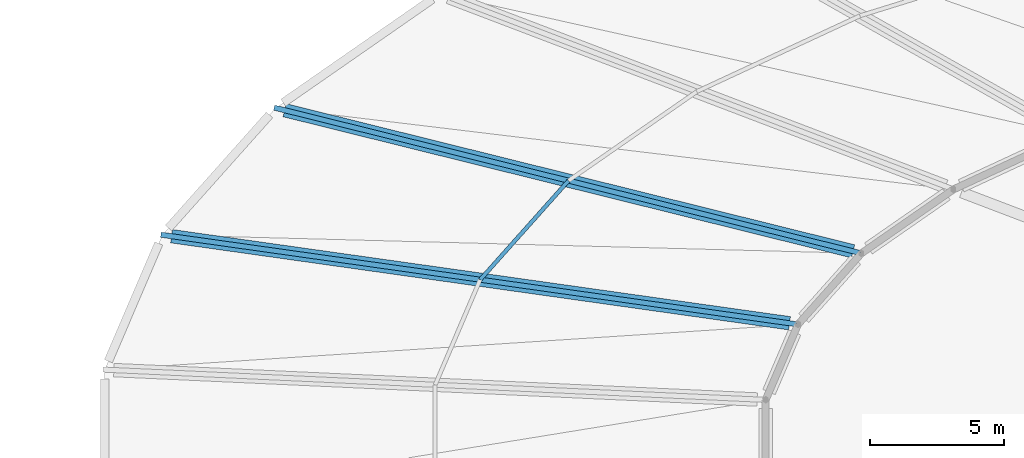
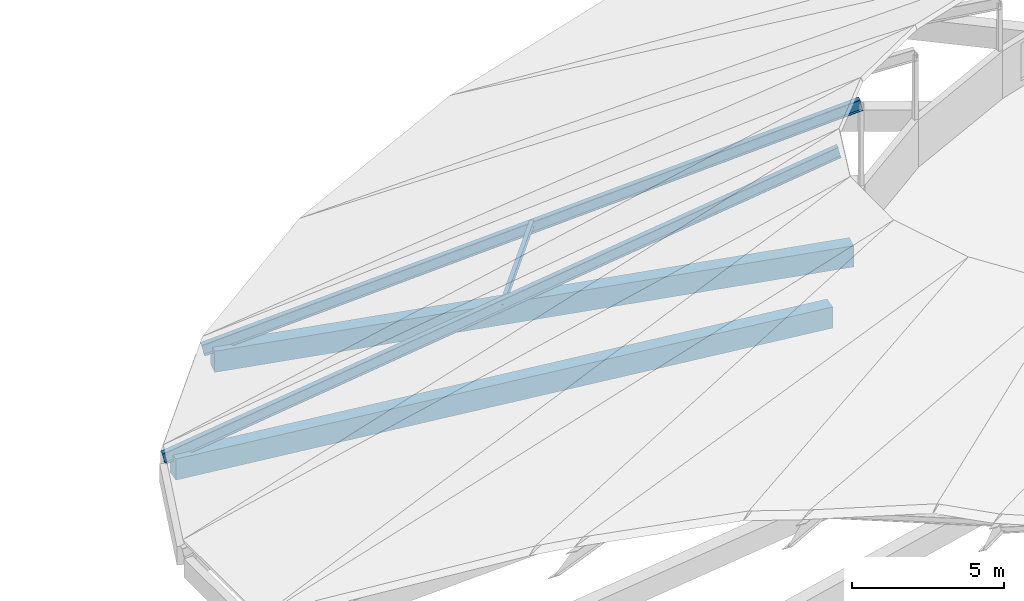
# One storey, part 26 of 142: 3 members, 2 beams.
"""IFC4 building model written with IfcOpenShell, lengths in metres."""

from ifc_helpers import new_model, si_unit, direction, frame, origin, origin_2d, place, context, subcontext, project, spatial, rectangle, i_section, extrude, material, material_profile, profile_set, type_object, element, save


model = new_model("IFC4")

# Units and contexts
model_context = context("Model", 3, precision=1e-05, world=origin(), true_north=direction((0.0, 1.0)))
body_context = subcontext(model_context, "Body", "Model", "MODEL_VIEW")
ifc_project = project(units=[si_unit("LENGTHUNIT", "METRE"), si_unit("AREAUNIT", "SQUARE_METRE"), si_unit("VOLUMEUNIT", "CUBIC_METRE"), si_unit("PLANEANGLEUNIT", "RADIAN"), si_unit("MASSUNIT", "GRAM", prefix="KILO")], contexts=[model_context])

# Site, building, storey
site_placement = place(None, origin())
site = spatial("IfcSite", under=ifc_project, at=site_placement, CompositionType="ELEMENT")
building_placement = place(site_placement, origin())
building = spatial("IfcBuilding", under=site, at=building_placement, Name="Corvandel Quay Wholesale Market", CompositionType="ELEMENT")
storey_placement = place(building_placement, frame((0.0, 0.0, 10.800048828125)))
storey = spatial("IfcBuildingStorey", under=building, at=storey_placement, Name="L02", CompositionType="ELEMENT", Elevation=10.800048828125)

# Beams
ifc_material_1 = material(Name="Precast concrete C45/55", Category="concrete")
ifc_material_profile_1 = material_profile(ifc_material_1, rectangle(XDim=0.5, YDim=0.85009765625, at=origin_2d()), Name="PC-GIR-500x850")
ifc_profile_set_1 = profile_set([ifc_material_profile_1], Name="Precast concrete C45/55")
beam_type = type_object("IfcBeamType", Name="Fish Hall Radial Girder G04 500x850", PredefinedType="USERDEFINED", material=ifc_profile_set_1)
beam_1_placement = place(storey_placement, frame((64.707763671875, 128.23291015625, -0.7451171875), z_axis=(0.970560046858, -0.240859285566, 0.0), x_axis=(0.240859285566, 0.970560046858, 0.0)))
element("IfcBeam", 1, at=beam_1_placement, inside=storey, type_object=beam_type, Name="Beam BM-0617", ObjectType="GIRDER", PredefinedType="USERDEFINED", context=body_context, shape_type="SweptSolid", body=[
    extrude(rectangle(XDim=0.5, YDim=0.85009765625, at=origin_2d()), origin(), (0.0, 0.0, 1.0), 21.83349609375),
])
beam_2_placement = place(storey_placement, frame((60.49365234375, 123.535888671875, -0.7451171875), z_axis=(0.990225913062, -0.139472725293, 0.0), x_axis=(0.139472725293, 0.990225913062, 0.0)))
element("IfcBeam", 2, at=beam_2_placement, inside=storey, type_object=beam_type, Name="Beam BM-0624", ObjectType="GIRDER", PredefinedType="USERDEFINED", context=body_context, shape_type="SweptSolid", body=[
    extrude(rectangle(XDim=0.5, YDim=0.85009765625, at=origin_2d()), origin(), (0.0, 0.0, 1.0), 23.26171875),
])

# Members
ifc_material_2 = material(Name="Steel A992 Grade 50", Category="steel")
ifc_material_profile_2 = material_profile(ifc_material_2, i_section(OverallWidth=0.14697265625, OverallDepth=0.261962890625, WebThickness=0.006591796875, FlangeThickness=0.01123046875, at=origin_2d()), Name="W10X26")
ifc_profile_set_2 = profile_set([ifc_material_profile_2], Name="Steel A992 Grade 50")
member_type_1 = type_object("IfcMemberType", Name="Roof Clerestory Purlin Rafter RF03 W10X26", PredefinedType="RAFTER", material=ifc_profile_set_2)
member_1_placement = place(storey_placement, frame((75.291015625, 125.6064453125, 2.533935546875), z_axis=(-0.665680230442, -0.746237114327, 0.0), x_axis=(0.746237114327, -0.665680230442, 0.0)))
element("IfcMember", 3, at=member_1_placement, inside=storey, type_object=member_type_1, Name="Member MEM-0024", PredefinedType="RAFTER", context=body_context, shape_type="SweptSolid", body=[
    extrude(i_section(OverallWidth=0.14697265625, OverallDepth=0.261962890625, WebThickness=0.006591796875, FlangeThickness=0.01123046875, at=origin_2d()), origin(), (0.0, 0.0, 1.0), 4.946044921875),
])
ifc_material_profile_3 = material_profile(ifc_material_2, i_section(OverallWidth=0.19091796875, OverallDepth=0.4599609375, WebThickness=0.010009765625, FlangeThickness=0.01611328125, at=origin_2d()), Name="W18X55")
ifc_profile_set_3 = profile_set([ifc_material_profile_3], Name="Steel A992 Grade 50")
member_type_2 = type_object("IfcMemberType", Name="Sawtooth Clerestory Rafter RF02 W18X55", PredefinedType="RAFTER", material=ifc_profile_set_3)
member_2_placement = place(storey_placement, frame((64.373046875, 128.31591796875, -0.340087890625), z_axis=(0.942912320384, -0.233999126378, 0.236982625782), x_axis=(0.240860299792, 0.970559795162, 0.0)))
element("IfcMember", 4, at=member_2_placement, inside=storey, type_object=member_type_2, Name="Member MEM-0022", PredefinedType="RAFTER", context=body_context, shape_type="SweptSolid", body=[
    extrude(i_section(OverallWidth=0.19091796875, OverallDepth=0.4599609375, WebThickness=0.010009765625, FlangeThickness=0.01611328125, at=origin_2d()), origin(), (0.0, 0.0, 1.0), 23.157958984375),
])
member_3_placement = place(storey_placement, frame((60.152099609375, 123.583984375, -0.340087890625), z_axis=(0.960221687, -0.135238031634, 0.244305109677), x_axis=(0.139464012453, 0.990227140221, 0.0)))
element("IfcMember", 5, at=member_3_placement, inside=storey, type_object=member_type_2, Name="Member MEM-0025", PredefinedType="RAFTER", context=body_context, shape_type="SweptSolid", body=[
    extrude(i_section(OverallWidth=0.19091796875, OverallDepth=0.4599609375, WebThickness=0.010009765625, FlangeThickness=0.01611328125, at=origin_2d()), origin(), (0.0, 0.0, 1.0), 24.67431640625),
])

save(model, "model.ifc")
